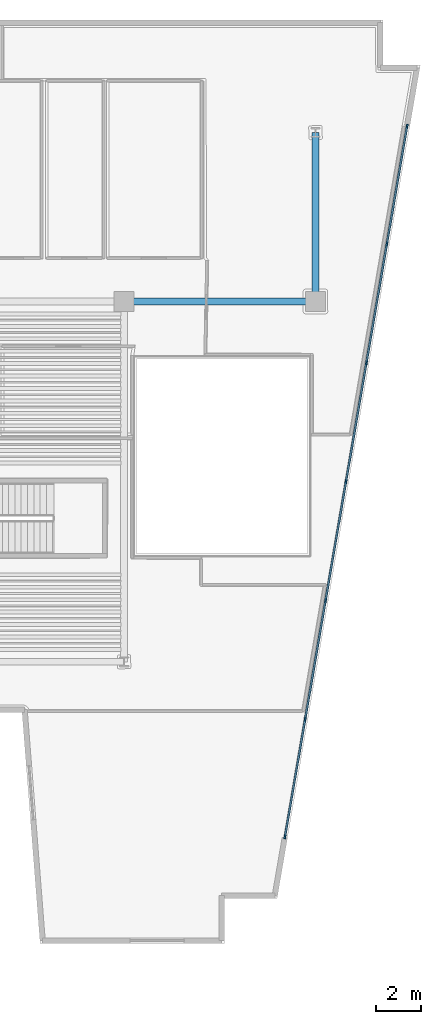
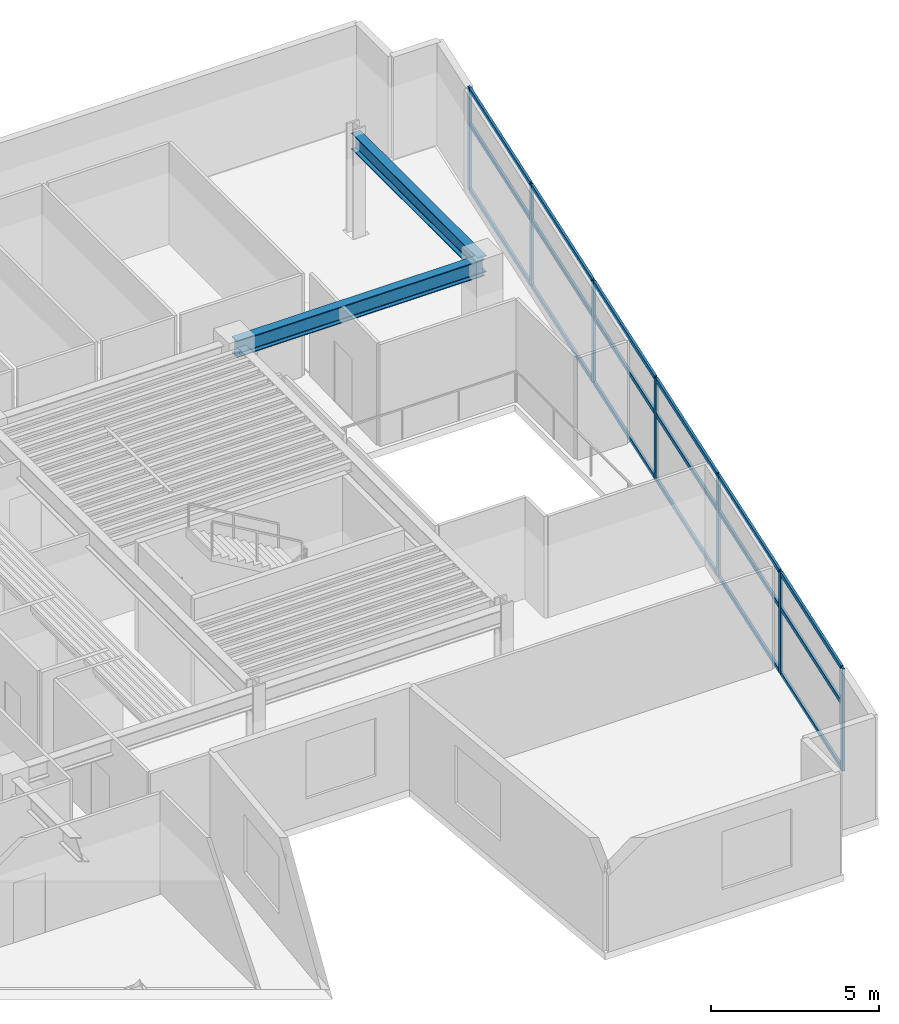
# One storey, part 2 of 9: 25 members, 2 beams, 1 element without a shape of its own.
"""IFC4 building model written with IfcOpenShell, lengths in metres."""

from ifc_helpers import new_model, si_unit, direction, frame, origin, origin_2d, place, context, subcontext, project, spatial, rectangle, i_section, extrude, material, layer, layer_set, material_profile, profile_set, type_object, element, aggregate, save


model = new_model("IFC4")

# Units and contexts
model_context = context("Model", 3, precision=1e-05, world=origin(), true_north=direction((0.0, 1.0)))
body_context = subcontext(model_context, "Body", "Model", "MODEL_VIEW")
ifc_project = project(units=[si_unit("LENGTHUNIT", "METRE"), si_unit("AREAUNIT", "SQUARE_METRE"), si_unit("VOLUMEUNIT", "CUBIC_METRE"), si_unit("PLANEANGLEUNIT", "RADIAN"), si_unit("MASSUNIT", "GRAM", prefix="KILO")], contexts=[model_context])

# Site, building, storey
site_placement = place(None, origin())
site = spatial("IfcSite", under=ifc_project, at=site_placement, CompositionType="ELEMENT")
building_placement = place(site_placement, origin())
building = spatial("IfcBuilding", under=site, at=building_placement, Name="Caeloran Harvest Quay", CompositionType="ELEMENT")
storey_placement = place(building_placement, frame((0.0, 0.0, 211.39990234375)))
storey = spatial("IfcBuildingStorey", under=building, at=storey_placement, Name="L50", CompositionType="ELEMENT", Elevation=211.39990234375)

# Beams
ifc_material_1 = material(Name="Steel S355J2", Category="steel")
ifc_material_profile_1 = material_profile(ifc_material_1, i_section(OverallWidth=0.300048828125, OverallDepth=0.60009765625, WebThickness=0.015380859375, FlangeThickness=0.030029296875, FilletRadius=0.027099609375, at=origin_2d()), Name="HE 600 B")
ifc_profile_set_1 = profile_set([ifc_material_profile_1], Name="Steel S355J2")
beam_type = type_object("IfcBeamType", Name="BM-PG-3-HE_600_B", PredefinedType="BEAM", material=ifc_profile_set_1)
beam_1_placement = place(storey_placement, frame((34.0, 31.0, 3.400146484375), z_axis=(1.0, 0.0, 0.0), x_axis=(0.0, 1.0, 0.0)))
element("IfcBeam", 1, at=beam_1_placement, inside=storey, type_object=beam_type, Name="L50 Primary East-West Girder Y=31.0", PredefinedType="BEAM", context=body_context, shape_type="SweptSolid", body=[
    extrude(i_section(OverallWidth=0.300048828125, OverallDepth=0.60009765625, WebThickness=0.015380859375, FlangeThickness=0.030029296875, FilletRadius=0.027099609375, at=origin_2d()), origin(), (0.0, 0.0, 1.0), 8.5),
])
beam_2_placement = place(storey_placement, frame((42.5, 31.0, 3.400146484375), z_axis=(0.0, 1.0, 0.0), x_axis=(-1.0, 0.0, 0.0)))
element("IfcBeam", 2, at=beam_2_placement, inside=storey, type_object=beam_type, Name="L50 Primary North-South Girder X=42.5", PredefinedType="BEAM", context=body_context, shape_type="SweptSolid", body=[
    extrude(i_section(OverallWidth=0.300048828125, OverallDepth=0.60009765625, WebThickness=0.015380859375, FlangeThickness=0.030029296875, FilletRadius=0.027099609375, at=origin_2d()), origin(), (0.0, 0.0, 1.0), 7.5),
])

# Curtain wall, members
ifc_material_2 = material(Name="Aluminium 6063-T6 and Low-E Glazing", Category="aluminium")
ifc_layer = layer(ifc_material_2, 0.2099609375, Name="Aluminium 6063-T6 and Low-E Glazing")
ifc_layer_set = layer_set([ifc_layer], Name="Aluminium 6063-T6 and Low-E Glazing")
curtain_wall_type = type_object("IfcCurtainWallType", Name="CW-SYS-CW-4", PredefinedType="USERDEFINED", material=ifc_layer_set)
curtain_wall_placement = place(storey_placement, origin())
curtain_wall = element("IfcCurtainWall", 3, at=curtain_wall_placement, inside=storey, type_object=curtain_wall_type, Name="L50 Unitised Curtain Wall CW-4 Run 9", ObjectType="CURTAIN_WALL", PredefinedType="USERDEFINED")
ifc_material_3 = material(Name="Aluminium 6063-T6", Category="aluminium")
ifc_material_profile_2 = material_profile(ifc_material_3, rectangle(XDim=0.080078125, YDim=0.179931640625, at=origin_2d()), Name="CW-MULLION-180")
ifc_profile_set_2 = profile_set([ifc_material_profile_2], Name="Aluminium 6063-T6")
member_type_1 = type_object("IfcMemberType", Name="CW-MULLION-180", PredefinedType="MULLION", material=ifc_profile_set_2)
member_1_placement = place(storey_placement, frame((46.566650390625, 38.778076171875, 0.0), z_axis=(0.0, 0.0, 1.0), x_axis=(0.985548890759, -0.169391215605, 0.0)))
member_1 = element("IfcMember", 4, at=member_1_placement, type_object=member_type_1, Name="CW-4 mullion 1", PredefinedType="MULLION", context=body_context, shape_type="SweptSolid", body=[
    extrude(rectangle(XDim=0.080078125, YDim=0.179931640625, at=origin_2d()), origin(), (0.0, 0.0, 1.0), 3.7001953125),
])
member_2_placement = place(storey_placement, frame((45.667236328125, 33.545166015625, 0.0), z_axis=(0.0, 0.0, 1.0), x_axis=(0.985548890759, -0.169391215605, 0.0)))
member_2 = element("IfcMember", 5, at=member_2_placement, type_object=member_type_1, Name="CW-4 mullion 2", PredefinedType="MULLION", context=body_context, shape_type="SweptSolid", body=[
    extrude(rectangle(XDim=0.080078125, YDim=0.179931640625, at=origin_2d()), origin(), (0.0, 0.0, 1.0), 3.7001953125),
])
member_3_placement = place(storey_placement, frame((44.760986328125, 28.2724609375, 0.0), z_axis=(0.0, 0.0, 1.0), x_axis=(0.985548890759, -0.169391215605, 0.0)))
member_3 = element("IfcMember", 6, at=member_3_placement, type_object=member_type_1, Name="CW-4 mullion 3", PredefinedType="MULLION", context=body_context, shape_type="SweptSolid", body=[
    extrude(rectangle(XDim=0.080078125, YDim=0.179931640625, at=origin_2d()), origin(), (0.0, 0.0, 1.0), 3.7001953125),
])
member_4_placement = place(storey_placement, frame((43.854736328125, 23.0, 0.0), z_axis=(0.0, 0.0, 1.0), x_axis=(0.985548890759, -0.169391215605, 0.0)))
member_4 = element("IfcMember", 7, at=member_4_placement, type_object=member_type_1, Name="CW-4 mullion 4", PredefinedType="MULLION", context=body_context, shape_type="SweptSolid", body=[
    extrude(rectangle(XDim=0.080078125, YDim=0.179931640625, at=origin_2d()), origin(), (0.0, 0.0, 1.0), 3.7001953125),
])
member_5_placement = place(storey_placement, frame((42.948486328125, 17.7275390625, 0.0), z_axis=(0.0, 0.0, 1.0), x_axis=(0.985548890759, -0.169391215605, 0.0)))
member_5 = element("IfcMember", 8, at=member_5_placement, type_object=member_type_1, Name="CW-4 mullion 5", PredefinedType="MULLION", context=body_context, shape_type="SweptSolid", body=[
    extrude(rectangle(XDim=0.080078125, YDim=0.179931640625, at=origin_2d()), origin(), (0.0, 0.0, 1.0), 3.7001953125),
])
member_6_placement = place(storey_placement, frame((42.042236328125, 12.454833984375, 0.0), z_axis=(0.0, 0.0, 1.0), x_axis=(0.985548890759, -0.169391215605, 0.0)))
member_6 = element("IfcMember", 9, at=member_6_placement, type_object=member_type_1, Name="CW-4 mullion 6", PredefinedType="MULLION", context=body_context, shape_type="SweptSolid", body=[
    extrude(rectangle(XDim=0.080078125, YDim=0.179931640625, at=origin_2d()), origin(), (0.0, 0.0, 1.0), 3.7001953125),
])
member_7_placement = place(storey_placement, frame((41.142822265625, 7.221923828125, 0.0), z_axis=(0.0, 0.0, 1.0), x_axis=(0.985548890759, -0.169391215605, 0.0)))
member_7 = element("IfcMember", 10, at=member_7_placement, type_object=member_type_1, Name="CW-4 mullion 7", PredefinedType="MULLION", context=body_context, shape_type="SweptSolid", body=[
    extrude(rectangle(XDim=0.080078125, YDim=0.179931640625, at=origin_2d()), origin(), (0.0, 0.0, 1.0), 3.7001953125),
])
ifc_material_profile_3 = material_profile(ifc_material_3, rectangle(XDim=0.080078125, YDim=0.14990234375, at=origin_2d()), Name="CW-TRANSOM-150")
ifc_profile_set_3 = profile_set([ifc_material_profile_3], Name="Aluminium 6063-T6")
member_type_2 = type_object("IfcMemberType", Name="CW-TRANSOM-150", PredefinedType="USERDEFINED", material=ifc_profile_set_3)
member_8_placement = place(storey_placement, frame((46.559814453125, 38.73876953125, 0.0400390625), z_axis=(-0.169362876348, -0.985553761149, 0.0), x_axis=(0.985553761149, -0.169362876348, 0.0)))
member_8 = element("IfcMember", 11, at=member_8_placement, type_object=member_type_2, Name="CW-4 transom 1.1", ObjectType="TRANSOM", PredefinedType="USERDEFINED", context=body_context, shape_type="SweptSolid", body=[
    extrude(rectangle(XDim=0.080078125, YDim=0.14990234375, at=origin_2d()), origin(), (0.0, 0.0, 1.0), 5.229736328125),
])
member_9_placement = place(storey_placement, frame((46.559814453125, 38.73876953125, 2.400146484375), z_axis=(-0.169362876348, -0.985553761149, 0.0), x_axis=(0.985553761149, -0.169362876348, 0.0)))
member_9 = element("IfcMember", 12, at=member_9_placement, type_object=member_type_2, Name="CW-4 transom 1.2", ObjectType="TRANSOM", PredefinedType="USERDEFINED", context=body_context, shape_type="SweptSolid", body=[
    extrude(rectangle(XDim=0.080078125, YDim=0.14990234375, at=origin_2d()), origin(), (0.0, 0.0, 1.0), 5.229736328125),
])
member_10_placement = place(storey_placement, frame((46.559814453125, 38.73876953125, 3.66015625), z_axis=(-0.169362876348, -0.985553761149, 0.0), x_axis=(0.985553761149, -0.169362876348, 0.0)))
member_10 = element("IfcMember", 13, at=member_10_placement, type_object=member_type_2, Name="CW-4 transom 1.3", ObjectType="TRANSOM", PredefinedType="USERDEFINED", context=body_context, shape_type="SweptSolid", body=[
    extrude(rectangle(XDim=0.080078125, YDim=0.14990234375, at=origin_2d()), origin(), (0.0, 0.0, 1.0), 5.229736328125),
])
member_11_placement = place(storey_placement, frame((45.660400390625, 33.505615234375, 0.0400390625), z_axis=(-0.169377856385, -0.985551186782, 0.0), x_axis=(0.985551186782, -0.169377856385, 0.0)))
member_11 = element("IfcMember", 14, at=member_11_placement, type_object=member_type_2, Name="CW-4 transom 2.1", ObjectType="TRANSOM", PredefinedType="USERDEFINED", context=body_context, shape_type="SweptSolid", body=[
    extrude(rectangle(XDim=0.080078125, YDim=0.14990234375, at=origin_2d()), origin(), (0.0, 0.0, 1.0), 5.269775390625),
])
member_12_placement = place(storey_placement, frame((45.660400390625, 33.505615234375, 2.400146484375), z_axis=(-0.169377856385, -0.985551186782, 0.0), x_axis=(0.985551186782, -0.169377856385, 0.0)))
member_12 = element("IfcMember", 15, at=member_12_placement, type_object=member_type_2, Name="CW-4 transom 2.2", ObjectType="TRANSOM", PredefinedType="USERDEFINED", context=body_context, shape_type="SweptSolid", body=[
    extrude(rectangle(XDim=0.080078125, YDim=0.14990234375, at=origin_2d()), origin(), (0.0, 0.0, 1.0), 5.269775390625),
])
member_13_placement = place(storey_placement, frame((45.660400390625, 33.505615234375, 3.66015625), z_axis=(-0.169377856385, -0.985551186782, 0.0), x_axis=(0.985551186782, -0.169377856385, 0.0)))
member_13 = element("IfcMember", 16, at=member_13_placement, type_object=member_type_2, Name="CW-4 transom 2.3", ObjectType="TRANSOM", PredefinedType="USERDEFINED", context=body_context, shape_type="SweptSolid", body=[
    extrude(rectangle(XDim=0.080078125, YDim=0.14990234375, at=origin_2d()), origin(), (0.0, 0.0, 1.0), 5.269775390625),
])
member_14_placement = place(storey_placement, frame((44.754150390625, 28.233154296875, 0.0400390625), z_axis=(-0.169370123052, -0.985552515809, 0.0), x_axis=(0.985552515809, -0.169370123052, 0.0)))
member_14 = element("IfcMember", 17, at=member_14_placement, type_object=member_type_2, Name="CW-4 transom 3.1", ObjectType="TRANSOM", PredefinedType="USERDEFINED", context=body_context, shape_type="SweptSolid", body=[
    extrude(rectangle(XDim=0.080078125, YDim=0.14990234375, at=origin_2d()), origin(), (0.0, 0.0, 1.0), 5.27001953125),
])
member_15_placement = place(storey_placement, frame((44.754150390625, 28.233154296875, 2.400146484375), z_axis=(-0.169370123052, -0.985552515809, 0.0), x_axis=(0.985552515809, -0.169370123052, 0.0)))
member_15 = element("IfcMember", 18, at=member_15_placement, type_object=member_type_2, Name="CW-4 transom 3.2", ObjectType="TRANSOM", PredefinedType="USERDEFINED", context=body_context, shape_type="SweptSolid", body=[
    extrude(rectangle(XDim=0.080078125, YDim=0.14990234375, at=origin_2d()), origin(), (0.0, 0.0, 1.0), 5.27001953125),
])
member_16_placement = place(storey_placement, frame((44.754150390625, 28.233154296875, 3.66015625), z_axis=(-0.169370123052, -0.985552515809, 0.0), x_axis=(0.985552515809, -0.169370123052, 0.0)))
member_16 = element("IfcMember", 19, at=member_16_placement, type_object=member_type_2, Name="CW-4 transom 3.3", ObjectType="TRANSOM", PredefinedType="USERDEFINED", context=body_context, shape_type="SweptSolid", body=[
    extrude(rectangle(XDim=0.080078125, YDim=0.14990234375, at=origin_2d()), origin(), (0.0, 0.0, 1.0), 5.27001953125),
])
member_17_placement = place(storey_placement, frame((43.847900390625, 22.960693359375, 0.0400390625), z_axis=(-0.169370123052, -0.985552515809, 0.0), x_axis=(0.985552515809, -0.169370123052, 0.0)))
member_17 = element("IfcMember", 20, at=member_17_placement, type_object=member_type_2, Name="CW-4 transom 4.1", ObjectType="TRANSOM", PredefinedType="USERDEFINED", context=body_context, shape_type="SweptSolid", body=[
    extrude(rectangle(XDim=0.080078125, YDim=0.14990234375, at=origin_2d()), origin(), (0.0, 0.0, 1.0), 5.27001953125),
])
member_18_placement = place(storey_placement, frame((43.847900390625, 22.960693359375, 2.400146484375), z_axis=(-0.169370123052, -0.985552515809, 0.0), x_axis=(0.985552515809, -0.169370123052, 0.0)))
member_18 = element("IfcMember", 21, at=member_18_placement, type_object=member_type_2, Name="CW-4 transom 4.2", ObjectType="TRANSOM", PredefinedType="USERDEFINED", context=body_context, shape_type="SweptSolid", body=[
    extrude(rectangle(XDim=0.080078125, YDim=0.14990234375, at=origin_2d()), origin(), (0.0, 0.0, 1.0), 5.27001953125),
])
member_19_placement = place(storey_placement, frame((43.847900390625, 22.960693359375, 3.66015625), z_axis=(-0.169370123052, -0.985552515809, 0.0), x_axis=(0.985552515809, -0.169370123052, 0.0)))
member_19 = element("IfcMember", 22, at=member_19_placement, type_object=member_type_2, Name="CW-4 transom 4.3", ObjectType="TRANSOM", PredefinedType="USERDEFINED", context=body_context, shape_type="SweptSolid", body=[
    extrude(rectangle(XDim=0.080078125, YDim=0.14990234375, at=origin_2d()), origin(), (0.0, 0.0, 1.0), 5.27001953125),
])
member_20_placement = place(storey_placement, frame((42.941650390625, 17.68798828125, 0.0400390625), z_axis=(-0.169377856385, -0.985551186782, 0.0), x_axis=(0.985551186782, -0.169377856385, 0.0)))
member_20 = element("IfcMember", 23, at=member_20_placement, type_object=member_type_2, Name="CW-4 transom 5.1", ObjectType="TRANSOM", PredefinedType="USERDEFINED", context=body_context, shape_type="SweptSolid", body=[
    extrude(rectangle(XDim=0.080078125, YDim=0.14990234375, at=origin_2d()), origin(), (0.0, 0.0, 1.0), 5.269775390625),
])
member_21_placement = place(storey_placement, frame((42.941650390625, 17.68798828125, 2.400146484375), z_axis=(-0.169377856385, -0.985551186782, 0.0), x_axis=(0.985551186782, -0.169377856385, 0.0)))
member_21 = element("IfcMember", 24, at=member_21_placement, type_object=member_type_2, Name="CW-4 transom 5.2", ObjectType="TRANSOM", PredefinedType="USERDEFINED", context=body_context, shape_type="SweptSolid", body=[
    extrude(rectangle(XDim=0.080078125, YDim=0.14990234375, at=origin_2d()), origin(), (0.0, 0.0, 1.0), 5.269775390625),
])
member_22_placement = place(storey_placement, frame((42.941650390625, 17.68798828125, 3.66015625), z_axis=(-0.169377856385, -0.985551186782, 0.0), x_axis=(0.985551186782, -0.169377856385, 0.0)))
member_22 = element("IfcMember", 25, at=member_22_placement, type_object=member_type_2, Name="CW-4 transom 5.3", ObjectType="TRANSOM", PredefinedType="USERDEFINED", context=body_context, shape_type="SweptSolid", body=[
    extrude(rectangle(XDim=0.080078125, YDim=0.14990234375, at=origin_2d()), origin(), (0.0, 0.0, 1.0), 5.269775390625),
])
member_23_placement = place(storey_placement, frame((42.03564453125, 12.41552734375, 0.0400390625), z_axis=(-0.169408218949, -0.985545968158, 0.0), x_axis=(0.985545968158, -0.169408218949, 0.0)))
member_23 = element("IfcMember", 26, at=member_23_placement, type_object=member_type_2, Name="CW-4 transom 6.1", ObjectType="TRANSOM", PredefinedType="USERDEFINED", context=body_context, shape_type="SweptSolid", body=[
    extrude(rectangle(XDim=0.080078125, YDim=0.14990234375, at=origin_2d()), origin(), (0.0, 0.0, 1.0), 5.22998046875),
])
member_24_placement = place(storey_placement, frame((42.03564453125, 12.41552734375, 2.400146484375), z_axis=(-0.169408218949, -0.985545968158, 0.0), x_axis=(0.985545968158, -0.169408218949, 0.0)))
member_24 = element("IfcMember", 27, at=member_24_placement, type_object=member_type_2, Name="CW-4 transom 6.2", ObjectType="TRANSOM", PredefinedType="USERDEFINED", context=body_context, shape_type="SweptSolid", body=[
    extrude(rectangle(XDim=0.080078125, YDim=0.14990234375, at=origin_2d()), origin(), (0.0, 0.0, 1.0), 5.22998046875),
])
member_25_placement = place(storey_placement, frame((42.03564453125, 12.41552734375, 3.66015625), z_axis=(-0.169408218949, -0.985545968158, 0.0), x_axis=(0.985545968158, -0.169408218949, 0.0)))
member_25 = element("IfcMember", 28, at=member_25_placement, type_object=member_type_2, Name="CW-4 transom 6.3", ObjectType="TRANSOM", PredefinedType="USERDEFINED", context=body_context, shape_type="SweptSolid", body=[
    extrude(rectangle(XDim=0.080078125, YDim=0.14990234375, at=origin_2d()), origin(), (0.0, 0.0, 1.0), 5.22998046875),
])
aggregate(curtain_wall, [member_1, member_2, member_3, member_4, member_5, member_6, member_7, member_8, member_9, member_10, member_11, member_12, member_13, member_14, member_15, member_16, member_17, member_18, member_19, member_20, member_21, member_22, member_23, member_24, member_25])

save(model, "model.ifc")
